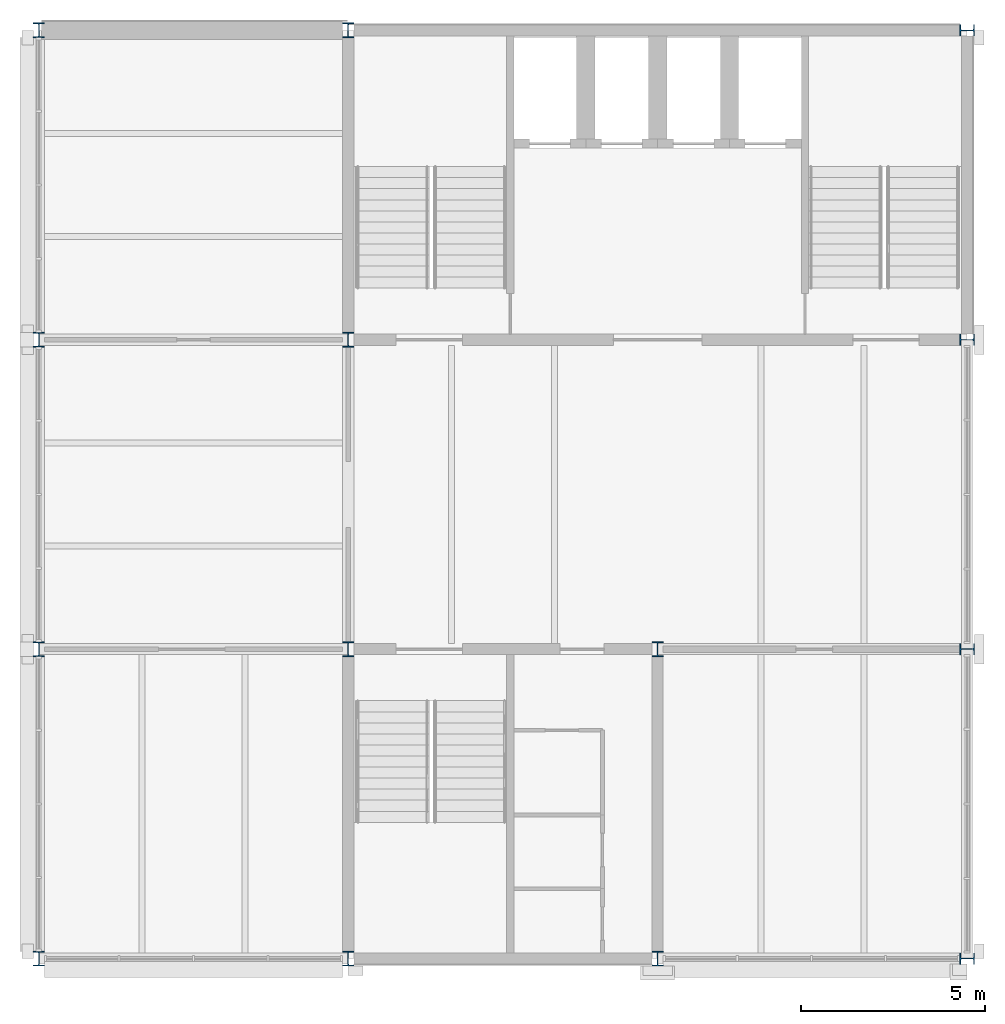
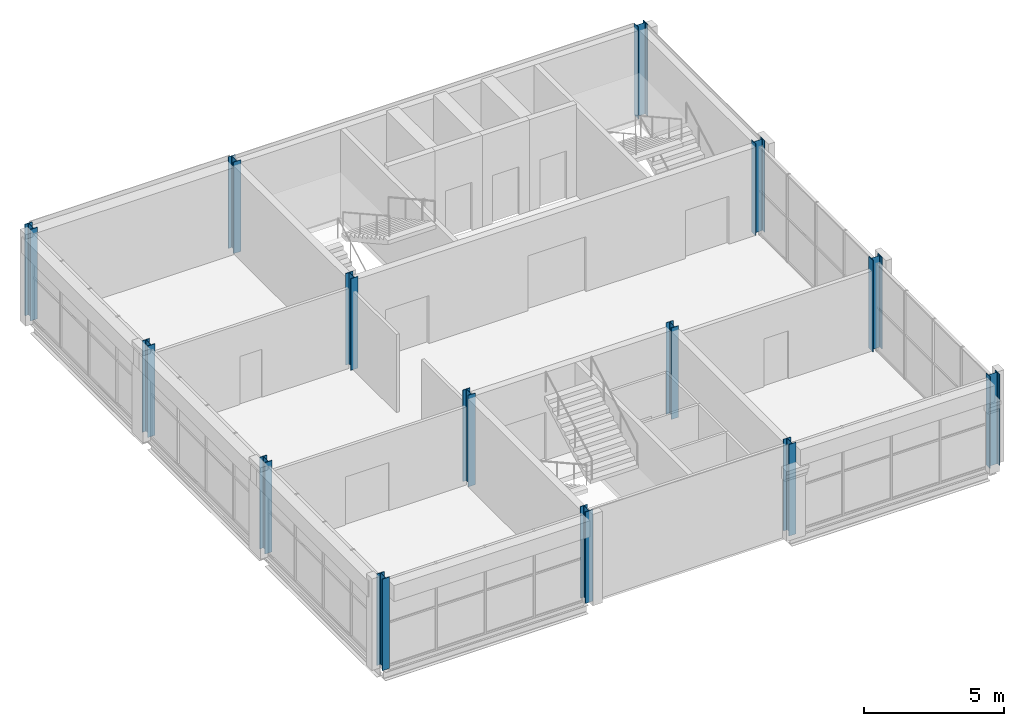
# One storey, part 1 of 8: 14 columns.
"""IFC4 building model written with IfcOpenShell, lengths in metres."""

from ifc_helpers import new_model, si_unit, direction, frame, origin, origin_2d, place, context, subcontext, project, spatial, i_section, extrude, material, material_profile, profile_set, type_object, element, save


model = new_model("IFC4")

# Units and contexts
model_context = context("Model", 3, precision=1e-05, world=origin(), true_north=direction((0.0, 1.0)))
body_context = subcontext(model_context, "Body", "Model", "MODEL_VIEW")
ifc_project = project(units=[si_unit("LENGTHUNIT", "METRE"), si_unit("AREAUNIT", "SQUARE_METRE"), si_unit("VOLUMEUNIT", "CUBIC_METRE"), si_unit("PLANEANGLEUNIT", "RADIAN"), si_unit("MASSUNIT", "GRAM", prefix="KILO")], contexts=[model_context])

# Site, building, storey
site_placement = place(None, origin())
site = spatial("IfcSite", under=ifc_project, at=site_placement, CompositionType="ELEMENT")
building_placement = place(site_placement, origin())
building = spatial("IfcBuilding", under=site, at=building_placement, Name="Galleria Vessillo Department Store", CompositionType="ELEMENT")
storey_placement = place(building_placement, frame((0.0, 0.0, 55.60009765625)))
storey = spatial("IfcBuildingStorey", under=building, at=storey_placement, Name="L12", CompositionType="ELEMENT", Elevation=55.60009765625)

# Columns
ifc_material = material(Name="Steel S355 J2", Category="steel")
ifc_material_profile = material_profile(ifc_material, i_section(OverallWidth=0.300048828125, OverallDepth=0.39990234375, WebThickness=0.013427734375, FlangeThickness=0.02392578125, FilletRadius=0.027099609375, at=origin_2d()), Name="HEB 400")
ifc_profile_set = profile_set([ifc_material_profile], Name="Steel S355 J2")
column_type = type_object("IfcColumnType", Name="Steel column HEB 400 CT4", PredefinedType="COLUMN", material=ifc_profile_set)
for number, where, z_axis, x_axis, name in (
    (1, (92.39990234375, 37.800048828125, 0.0), (0.0, 0.0, 1.0), (1.0, 0.0, 0.0), "S-COL-L12-12-E"),
    (2, (92.39990234375, 46.199951171875, 0.0), (0.0, 0.0, 1.0), (1.0, 0.0, 0.0), "S-COL-L12-12-F"),
    (3, (92.39990234375, 54.60009765625, 0.0), (0.0, 0.0, 1.0), (1.0, 0.0, 0.0), "S-COL-L12-12-G"),
    (4, (92.39990234375, 63.0, 0.0), (0.0, 0.0, 1.0), (1.0, 0.0, 0.0), "S-COL-L12-12-H"),
    (5, (100.800048828125, 37.800048828125, 0.0), (0.0, 0.0, 1.0), (1.0, 0.0, 0.0), "S-COL-L12-13-E"),
    (6, (100.800048828125, 46.199951171875, 0.0), (0.0, 0.0, 1.0), (1.0, 0.0, 0.0), "S-COL-L12-13-F"),
    (7, (100.800048828125, 54.60009765625, 0.0), (0.0, 0.0, 1.0), (1.0, 0.0, 0.0), "S-COL-L12-13-G"),
    (8, (100.800048828125, 63.0, 0.0), (0.0, 0.0, 1.0), (1.0, 0.0, 0.0), "S-COL-L12-13-H"),
    (9, (109.199951171875, 37.800048828125, 0.0), (0.0, 0.0, 1.0), (1.0, 0.0, 0.0), "S-COL-L12-14-E"),
    (10, (109.199951171875, 46.199951171875, 0.0), (0.0, 0.0, 1.0), (1.0, 0.0, 0.0), "S-COL-L12-14-F"),
    (11, (117.60009765625, 37.800048828125, 0.0), (0.0, 0.0, 1.0), (0.0, 1.0, 0.0), "S-COL-L12-15-E"),
    (12, (117.60009765625, 46.199951171875, 0.0), (0.0, 0.0, 1.0), (0.0, 1.0, 0.0), "S-COL-L12-15-F"),
    (13, (117.60009765625, 54.60009765625, 0.0), (0.0, 0.0, 1.0), (0.0, 1.0, 0.0), "S-COL-L12-15-G"),
    (14, (117.60009765625, 63.0, 0.0), (0.0, 0.0, 1.0), (0.0, 1.0, 0.0), "S-COL-L12-15-H"),
):
    element("IfcColumn", number, at=place(storey_placement, frame(where, z_axis=z_axis, x_axis=x_axis)), inside=storey, type_object=column_type, Name=name, PredefinedType="COLUMN", context=body_context, shape_type="SweptSolid", body=[
        extrude(i_section(OverallWidth=0.300048828125, OverallDepth=0.39990234375, WebThickness=0.013427734375, FlangeThickness=0.02392578125, FilletRadius=0.027099609375, at=origin_2d()), origin(), (0.0, 0.0, 1.0), 4.0),
    ])

save(model, "model.ifc")
